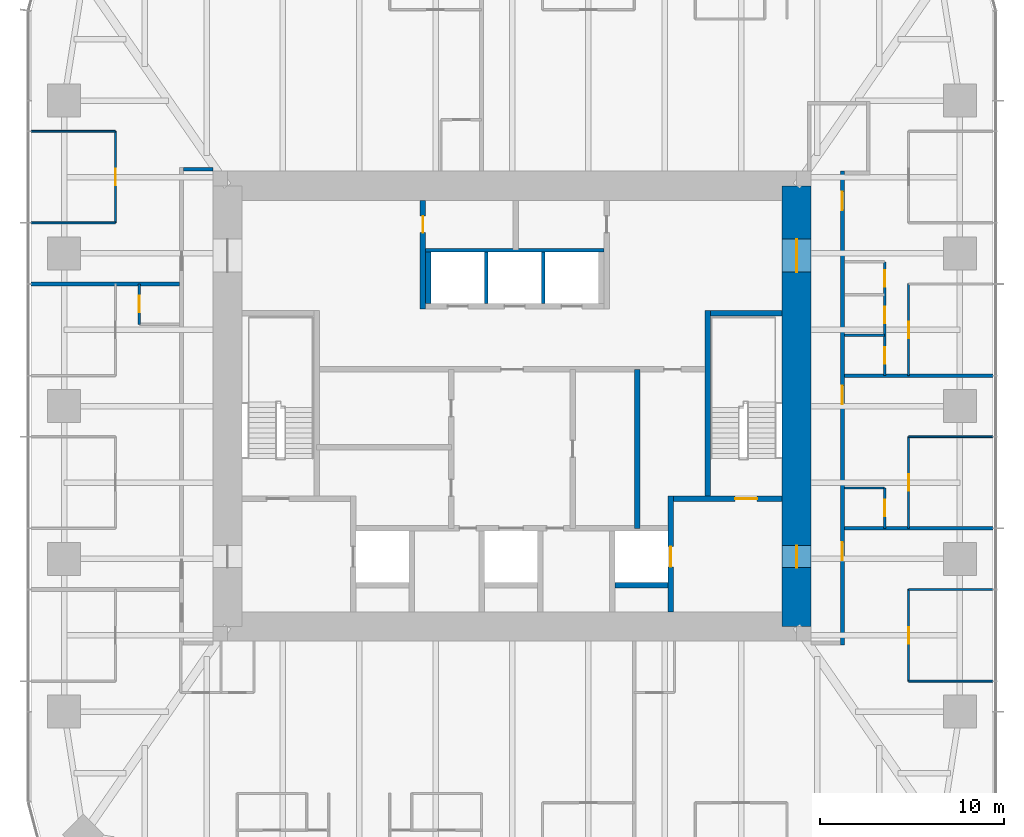
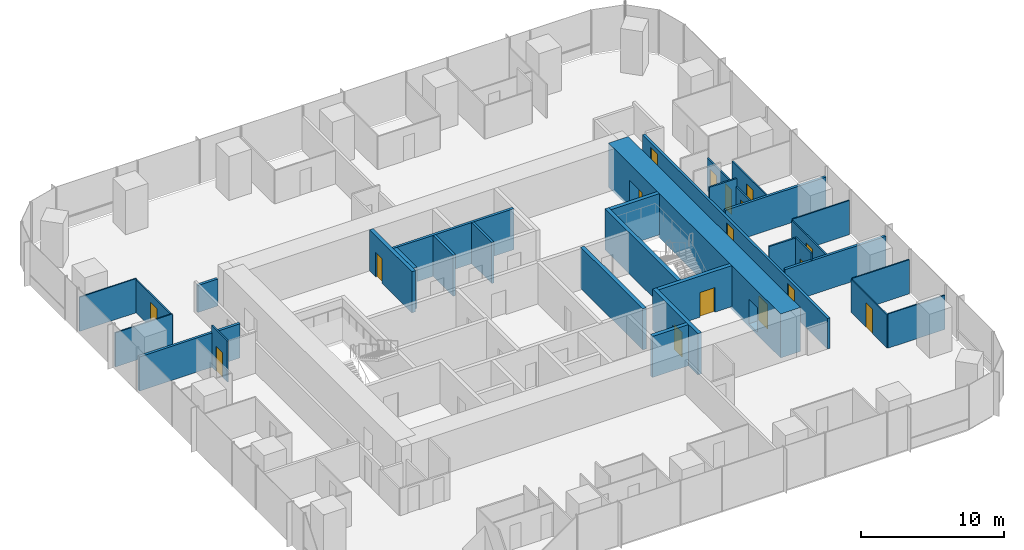
# One storey, part 10 of 12: 31 walls, 17 doors, 17 openings.
"""IFC4 building model written with IfcOpenShell, lengths in metres."""

from ifc_helpers import new_model, si_unit, direction, frame, frame_2d, origin, place, context, subcontext, project, spatial, rectangle, extrude, material, layer, layer_set, type_object, element, fill, save


model = new_model("IFC4")

# Units and contexts
model_context = context("Model", 3, precision=1e-05, world=origin(), true_north=direction((0.0, 1.0)))
body_context = subcontext(model_context, "Body", "Model", "MODEL_VIEW")
ifc_project = project(units=[si_unit("LENGTHUNIT", "METRE"), si_unit("AREAUNIT", "SQUARE_METRE"), si_unit("VOLUMEUNIT", "CUBIC_METRE"), si_unit("PLANEANGLEUNIT", "RADIAN"), si_unit("MASSUNIT", "GRAM", prefix="KILO")], contexts=[model_context])

# Site, building, storey
site_placement = place(None, origin())
site = spatial("IfcSite", under=ifc_project, at=site_placement, CompositionType="ELEMENT")
building_placement = place(site_placement, origin())
building = spatial("IfcBuilding", under=site, at=building_placement, Name="Khuree Lantern Residences", CompositionType="ELEMENT")
storey_placement = place(building_placement, frame((0.0, 0.0, 225.75)))
storey = spatial("IfcBuildingStorey", under=building, at=storey_placement, Name="L56", CompositionType="ELEMENT", Elevation=225.75)

# Wall, opening, door
ifc_material_1 = material(Name="Moisture-resistant gypsum board on steel studs", Category="steel")
ifc_layer_1 = layer(ifc_material_1, 0.125)
ifc_layer_set_1 = layer_set([ifc_layer_1], Name="BATHROOM WALL BTW125")
wall_type_1 = type_object("IfcWallType", Name="BATHROOM WALL BTW125", PredefinedType="PARTITIONING", material=ifc_layer_set_1)
wall_1_placement = place(storey_placement, frame((20.300048828125, -6.656005859375, 0.0), z_axis=(0.0, 0.0, 1.0), x_axis=(0.0, 1.0, 0.0)))
wall_1 = element("IfcWall", 1, at=wall_1_placement, inside=storey, type_object=wall_type_1, Name="L56 BATHROOM WALL 01", PredefinedType="PARTITIONING", context=body_context, shape_type="SweptSolid", body=[
    extrude(rectangle(XDim=2.199951171875, YDim=0.125, at=frame_2d((1.10009765625, 0.0))), origin(), (0.0, 0.0, 1.0), 3.5),
])
opening_1_placement = place(wall_1_placement, frame((0.64990234375, 0.0, 0.0)))
opening_1 = element("IfcOpeningElement", 2, at=opening_1_placement, cuts=wall_1, Name="Opening 56-023", PredefinedType="OPENING", context=body_context, shape_type="SweptSolid", body=[
    extrude(rectangle(XDim=0.89990234375, YDim=2.10009765625, at=frame_2d((0.449951171875, 1.050048828125))), frame((0.0, 0.072509765625, 0.0), z_axis=(0.0, -1.0, 0.0), x_axis=(1.0, 0.0, 0.0)), (0.0, 0.0, 1.0), 0.14501953125),
])
ifc_material_2 = material(Name="Timber door leaf in hardwood frame", Category="wood")
door_type_1 = type_object("IfcDoorType", Name="BATHROOM DOOR 900X2100", OperationType="SINGLE_SWING_LEFT", PredefinedType="DOOR", material=ifc_material_2)
door_1_placement = place(opening_1_placement, origin())
door_1 = element("IfcDoor", 3, at=door_1_placement, inside=storey, type_object=door_type_1, Name="Bathroom door 56-023", OperationType="SINGLE_SWING_LEFT", OverallHeight=2.10009765625, OverallWidth=0.89990234375, PredefinedType="DOOR", context=body_context, shape_type="SweptSolid", body=[
    extrude(rectangle(XDim=0.89990234375, YDim=2.10009765625, at=frame_2d((0.449951171875, 1.050048828125))), frame((0.0, 0.02490234375, 0.0), z_axis=(0.0, -1.0, 0.0), x_axis=(1.0, 0.0, 0.0)), (0.0, 0.0, 1.0), 0.050048828125),
])
fill(opening_1, door_1)

# Wall
wall_2_placement = place(storey_placement, frame((18.10009765625, -4.4560546875, 0.0), z_axis=(0.0, 0.0, 1.0), x_axis=(1.0, 0.0, 0.0)))
element("IfcWall", 4, at=wall_2_placement, inside=storey, type_object=wall_type_1, Name="L56 BATHROOM WALL 01", PredefinedType="PARTITIONING", context=body_context, shape_type="SweptSolid", body=[
    extrude(rectangle(XDim=2.199951171875, YDim=0.125, at=frame_2d((1.10009765625, 0.0))), origin(), (0.0, 0.0, 1.0), 3.5),
])

# Wall, openings, doors
wall_3_placement = place(storey_placement, frame((20.300048828125, 1.6640625, 0.0), z_axis=(0.0, 0.0, 1.0), x_axis=(0.0, 1.0, 0.0)))
wall_3 = element("IfcWall", 5, at=wall_3_placement, inside=storey, type_object=wall_type_1, Name="L56 BATHROOM WALL 02", PredefinedType="PARTITIONING", context=body_context, shape_type="SweptSolid", body=[
    extrude(rectangle(XDim=6.199951171875, YDim=0.125, at=frame_2d((3.10009765625, 0.0))), origin(), (0.0, 0.0, 1.0), 2.81005859375),
])
opening_2_placement = place(wall_3_placement, frame((0.64990234375, 0.0, 0.0)))
opening_2 = element("IfcOpeningElement", 6, at=opening_2_placement, cuts=wall_3, Name="Opening 56-030", PredefinedType="OPENING", context=body_context, shape_type="SweptSolid", body=[
    extrude(rectangle(XDim=0.89990234375, YDim=2.10009765625, at=frame_2d((0.449951171875, 1.050048828125))), frame((0.0, 0.072509765625, 0.0), z_axis=(0.0, -1.0, 0.0), x_axis=(1.0, 0.0, 0.0)), (0.0, 0.0, 1.0), 0.14501953125),
])
opening_3_placement = place(wall_3_placement, frame((2.85009765625, 0.0, 0.0)))
opening_3 = element("IfcOpeningElement", 7, at=opening_3_placement, cuts=wall_3, Name="Opening 56-031", PredefinedType="OPENING", context=body_context, shape_type="SweptSolid", body=[
    extrude(rectangle(XDim=0.89990234375, YDim=2.10009765625, at=frame_2d((0.449951171875, 1.050048828125))), frame((0.0, 0.072509765625, 0.0), z_axis=(0.0, -1.0, 0.0), x_axis=(1.0, 0.0, 0.0)), (0.0, 0.0, 1.0), 0.14501953125),
])
opening_4_placement = place(wall_3_placement, frame((4.85009765625, 0.0, 0.0)))
opening_4 = element("IfcOpeningElement", 8, at=opening_4_placement, cuts=wall_3, Name="Opening 56-032", PredefinedType="OPENING", context=body_context, shape_type="SweptSolid", body=[
    extrude(rectangle(XDim=0.89990234375, YDim=2.10009765625, at=frame_2d((0.449951171875, 1.050048828125))), frame((0.0, 0.072509765625, 0.0), z_axis=(0.0, -1.0, 0.0), x_axis=(1.0, 0.0, 0.0)), (0.0, 0.0, 1.0), 0.14501953125),
])
door_2_placement = place(opening_2_placement, origin())
door_2 = element("IfcDoor", 9, at=door_2_placement, inside=storey, type_object=door_type_1, Name="Bathroom door 56-030", OperationType="SINGLE_SWING_LEFT", OverallHeight=2.10009765625, OverallWidth=0.89990234375, PredefinedType="DOOR", context=body_context, shape_type="SweptSolid", body=[
    extrude(rectangle(XDim=0.89990234375, YDim=2.10009765625, at=frame_2d((0.449951171875, 1.050048828125))), frame((0.0, 0.02490234375, 0.0), z_axis=(0.0, -1.0, 0.0), x_axis=(1.0, 0.0, 0.0)), (0.0, 0.0, 1.0), 0.050048828125),
])
fill(opening_2, door_2)
door_3_placement = place(opening_3_placement, origin())
door_3 = element("IfcDoor", 10, at=door_3_placement, inside=storey, type_object=door_type_1, Name="Bathroom door 56-031", OperationType="SINGLE_SWING_LEFT", OverallHeight=2.10009765625, OverallWidth=0.89990234375, PredefinedType="DOOR", context=body_context, shape_type="SweptSolid", body=[
    extrude(rectangle(XDim=0.89990234375, YDim=2.10009765625, at=frame_2d((0.449951171875, 1.050048828125))), frame((0.0, 0.02490234375, 0.0), z_axis=(0.0, -1.0, 0.0), x_axis=(1.0, 0.0, 0.0)), (0.0, 0.0, 1.0), 0.050048828125),
])
fill(opening_3, door_3)
door_type_2 = type_object("IfcDoorType", Name="DOOR 900X2100", OperationType="SINGLE_SWING_LEFT", PredefinedType="DOOR", material=ifc_material_2)
door_4_placement = place(opening_4_placement, origin())
door_4 = element("IfcDoor", 11, at=door_4_placement, inside=storey, type_object=door_type_2, Name="Store door 56-032", OperationType="SINGLE_SWING_LEFT", OverallHeight=2.10009765625, OverallWidth=0.89990234375, PredefinedType="DOOR", context=body_context, shape_type="SweptSolid", body=[
    extrude(rectangle(XDim=0.89990234375, YDim=2.10009765625, at=frame_2d((0.449951171875, 1.050048828125))), frame((0.0, 0.02490234375, 0.0), z_axis=(0.0, -1.0, 0.0), x_axis=(1.0, 0.0, 0.0)), (0.0, 0.0, 1.0), 0.050048828125),
])
fill(opening_4, door_4)

# Wall
wall_4_placement = place(storey_placement, frame((18.10009765625, 3.864013671875, 0.0), z_axis=(0.0, 0.0, 1.0), x_axis=(1.0, 0.0, 0.0)))
element("IfcWall", 12, at=wall_4_placement, inside=storey, type_object=wall_type_1, Name="L56 BATHROOM WALL 02", PredefinedType="PARTITIONING", context=body_context, shape_type="SweptSolid", body=[
    extrude(rectangle(XDim=2.199951171875, YDim=0.125, at=frame_2d((1.10009765625, 0.0))), origin(), (0.0, 0.0, 1.0), 3.5),
])

# Wall, opening, door
wall_5_placement = place(storey_placement, frame((-20.300048828125, 6.656005859375, 0.0), z_axis=(0.0, 0.0, 1.0), x_axis=(0.0, -1.0, 0.0)))
wall_5 = element("IfcWall", 13, at=wall_5_placement, inside=storey, type_object=wall_type_1, Name="L56 BATHROOM WALL 04", PredefinedType="PARTITIONING", context=body_context, shape_type="SweptSolid", body=[
    extrude(rectangle(XDim=2.199951171875, YDim=0.125, at=frame_2d((1.10009765625, 0.0))), origin(), (0.0, 0.0, 1.0), 3.5),
])
opening_5_placement = place(wall_5_placement, frame((0.64990234375, 0.0, 0.0)))
opening_5 = element("IfcOpeningElement", 14, at=opening_5_placement, cuts=wall_5, Name="Opening 56-040", PredefinedType="OPENING", context=body_context, shape_type="SweptSolid", body=[
    extrude(rectangle(XDim=0.89990234375, YDim=2.10009765625, at=frame_2d((0.449951171875, 1.050048828125))), frame((0.0, 0.072509765625, 0.0), z_axis=(0.0, -1.0, 0.0), x_axis=(1.0, 0.0, 0.0)), (0.0, 0.0, 1.0), 0.14501953125),
])
door_5_placement = place(opening_5_placement, origin())
door_5 = element("IfcDoor", 15, at=door_5_placement, inside=storey, type_object=door_type_1, Name="Bathroom door 56-040", OperationType="SINGLE_SWING_LEFT", OverallHeight=2.10009765625, OverallWidth=0.89990234375, PredefinedType="DOOR", context=body_context, shape_type="SweptSolid", body=[
    extrude(rectangle(XDim=0.89990234375, YDim=2.10009765625, at=frame_2d((0.449951171875, 1.050048828125))), frame((0.0, 0.02490234375, 0.0), z_axis=(0.0, -1.0, 0.0), x_axis=(1.0, 0.0, 0.0)), (0.0, 0.0, 1.0), 0.050048828125),
])
fill(opening_5, door_5)

ifc_material_3 = material(Name="Dense concrete blockwork", Category="masonry")
ifc_layer_2 = layer(ifc_material_3, 0.300048828125)
ifc_layer_set_2 = layer_set([ifc_layer_2], Name="CORE PARTITION WALL CPW300 EI 120")
wall_type_2 = type_object("IfcWallType", Name="CORE PARTITION WALL CPW300 EI 120", PredefinedType="PARTITIONING", material=ifc_layer_set_2)
wall_6_placement = place(storey_placement, frame((8.64990234375, -11.199951171875, 0.0), z_axis=(0.0, 0.0, 1.0), x_axis=(0.0, 1.0, 0.0)))
wall_6 = element("IfcWall", 16, at=wall_6_placement, inside=storey, type_object=wall_type_2, Name="L56 CORE WALL FL2E", PredefinedType="PARTITIONING", context=body_context, shape_type="SweptSolid", body=[
    extrude(rectangle(XDim=6.300048828125, YDim=0.300048828125, at=frame_2d((3.14990234375, 0.0))), origin(), (0.0, 0.0, 1.0), 3.5),
])
opening_6_placement = place(wall_6_placement, frame((2.449951171875, 0.0, 0.0)))
opening_6 = element("IfcOpeningElement", 17, at=opening_6_placement, cuts=wall_6, Name="Opening 56-008", PredefinedType="OPENING", context=body_context, shape_type="SweptSolid", body=[
    extrude(rectangle(XDim=1.10009765625, YDim=2.10009765625, at=frame_2d((0.550048828125, 1.050048828125))), frame((0.0, 0.16015625, 0.0), z_axis=(0.0, -1.0, 0.0), x_axis=(1.0, 0.0, 0.0)), (0.0, 0.0, 1.0), 0.320068359375),
])
ifc_material_4 = material(Name="Stainless steel lift landing door", Category="steel")
door_type_3 = type_object("IfcDoorType", Name="LIFT LANDING DOOR 1100X2100 E 120", OperationType="DOUBLE_DOOR_SLIDING", PredefinedType="DOOR", material=ifc_material_4)
door_6_placement = place(opening_6_placement, origin())
door_6 = element("IfcDoor", 18, at=door_6_placement, inside=storey, type_object=door_type_3, Name="Landing door FL2 56-008", OperationType="DOUBLE_DOOR_SLIDING", OverallHeight=2.10009765625, OverallWidth=1.10009765625, PredefinedType="DOOR", context=body_context, shape_type="SweptSolid", body=[
    extrude(rectangle(XDim=1.10009765625, YDim=2.10009765625, at=frame_2d((0.550048828125, 1.050048828125))), frame((0.0, 0.02490234375, 0.0), z_axis=(0.0, -1.0, 0.0), x_axis=(1.0, 0.0, 0.0)), (0.0, 0.0, 1.0), 0.050048828125),
])
fill(opening_6, door_6)

# Walls
wall_7_placement = place(storey_placement, frame((5.60009765625, -9.75, 0.0), z_axis=(0.0, 0.0, 1.0), x_axis=(1.0, 0.0, 0.0)))
element("IfcWall", 19, at=wall_7_placement, inside=storey, type_object=wall_type_2, Name="L56 CORE WALL FL2S", PredefinedType="PARTITIONING", context=body_context, shape_type="SweptSolid", body=[
    extrude(rectangle(XDim=2.89990234375, YDim=0.300048828125, at=frame_2d((1.449951171875, 0.0))), origin(), (0.0, 0.0, 1.0), 3.5),
])
wall_8_placement = place(storey_placement, frame((-4.550048828125, 5.60009765625, 0.0), z_axis=(0.0, 0.0, 1.0), x_axis=(0.0, 1.0, 0.0)))
element("IfcWall", 20, at=wall_8_placement, inside=storey, type_object=wall_type_2, Name="L56 CORE WALL PHW", PredefinedType="PARTITIONING", context=body_context, shape_type="SweptSolid", body=[
    extrude(rectangle(XDim=2.7998046875, YDim=0.300048828125, at=frame_2d((1.39990234375, 0.0))), origin(), (0.0, 0.0, 1.0), 3.5),
])
wall_9_placement = place(storey_placement, frame((6.833984375, -6.64990234375, 0.0), z_axis=(0.0, 0.0, 1.0), x_axis=(0.0, 1.0, 0.0)))
element("IfcWall", 21, at=wall_9_placement, inside=storey, type_object=wall_type_2, Name="L56 CORE WALL EV", PredefinedType="PARTITIONING", context=body_context, shape_type="SweptSolid", body=[
    extrude(rectangle(XDim=8.64990234375, YDim=0.300048828125, at=frame_2d((4.324951171875, 0.0))), origin(), (0.0, 0.0, 1.0), 3.5),
])

# Wall, opening, door
wall_10_placement = place(storey_placement, frame((-4.85009765625, 5.300048828125, 0.0), z_axis=(0.0, 0.0, 1.0), x_axis=(0.0, 1.0, 0.0)))
wall_10 = element("IfcWall", 22, at=wall_10_placement, inside=storey, type_object=wall_type_2, Name="L56 CORE WALL NW", PredefinedType="PARTITIONING", context=body_context, shape_type="SweptSolid", body=[
    extrude(rectangle(XDim=5.89990234375, YDim=0.300048828125, at=frame_2d((2.949951171875, 0.0))), origin(), (0.0, 0.0, 1.0), 3.5),
])
opening_7_placement = place(wall_10_placement, frame((4.14990234375, 0.0, 0.0)))
opening_7 = element("IfcOpeningElement", 23, at=opening_7_placement, cuts=wall_10, Name="Opening 56-020", PredefinedType="OPENING", context=body_context, shape_type="SweptSolid", body=[
    extrude(rectangle(XDim=0.89990234375, YDim=2.10009765625, at=frame_2d((0.449951171875, 1.050048828125))), frame((0.0, 0.16015625, 0.0), z_axis=(0.0, -1.0, 0.0), x_axis=(1.0, 0.0, 0.0)), (0.0, 0.0, 1.0), 0.320068359375),
])
door_type_4 = type_object("IfcDoorType", Name="DOOR 900X2100 RIGHT HAND", OperationType="SINGLE_SWING_RIGHT", PredefinedType="DOOR", material=ifc_material_2)
door_7_placement = place(opening_7_placement, origin())
door_7 = element("IfcDoor", 24, at=door_7_placement, inside=storey, type_object=door_type_4, Name="Housekeeping store door 56-020", OperationType="SINGLE_SWING_RIGHT", OverallHeight=2.10009765625, OverallWidth=0.89990234375, PredefinedType="DOOR", context=body_context, shape_type="SweptSolid", body=[
    extrude(rectangle(XDim=0.89990234375, YDim=2.10009765625, at=frame_2d((0.449951171875, 1.050048828125))), frame((0.0, 0.02490234375, 0.0), z_axis=(0.0, -1.0, 0.0), x_axis=(1.0, 0.0, 0.0)), (0.0, 0.0, 1.0), 0.050048828125),
])
fill(opening_7, door_7)

# Wall
ifc_material_5 = material(Name="Gypsum board on steel studs", Category="steel")
ifc_layer_3 = layer(ifc_material_5, 0.199951171875)
ifc_layer_set_3 = layer_set([ifc_layer_3], Name="CORRIDOR WALL CRW200 EI 60")
wall_type_3 = type_object("IfcWallType", Name="CORRIDOR WALL CRW200 EI 60", PredefinedType="PARTITIONING", material=ifc_layer_set_3)
wall_11_placement = place(storey_placement, frame((-16.300048828125, 12.89990234375, 0.0), z_axis=(0.0, 0.0, 1.0), x_axis=(-1.0, 0.0, 0.0)))
element("IfcWall", 25, at=wall_11_placement, inside=storey, type_object=wall_type_3, Name="L56 WEST CORRIDOR NORTH END WALL", PredefinedType="PARTITIONING", context=body_context, shape_type="SweptSolid", body=[
    extrude(rectangle(XDim=1.599853515625, YDim=0.199951171875, at=frame_2d((0.7998046875, 0.0))), origin(), (0.0, 0.0, 1.0), 2.300048828125),
])

# Wall, openings, doors
wall_12_placement = place(storey_placement, frame((18.0, -13.0, 0.0), z_axis=(0.0, 0.0, 1.0), x_axis=(0.0, 1.0, 0.0)))
wall_12 = element("IfcWall", 26, at=wall_12_placement, inside=storey, type_object=wall_type_3, Name="L56 CORRIDOR WALL EAST 1", PredefinedType="PARTITIONING", context=body_context, shape_type="SweptSolid", body=[
    extrude(rectangle(XDim=25.800048828125, YDim=0.199951171875, at=frame_2d((12.89990234375, 0.0))), origin(), (0.0, 0.0, 1.0), 2.60009765625),
])
opening_8_placement = place(wall_12_placement, frame((13.114013671875, 0.0, 0.0)))
opening_8 = element("IfcOpeningElement", 27, at=opening_8_placement, cuts=wall_12, Name="Opening 56-024", PredefinedType="OPENING", context=body_context, shape_type="SweptSolid", body=[
    extrude(rectangle(XDim=1.0, YDim=2.199951171875, at=frame_2d((0.5, 1.10009765625))), frame((0.0, 0.10986328125, 0.0), z_axis=(0.0, -1.0, 0.0), x_axis=(1.0, 0.0, 0.0)), (0.0, 0.0, 1.0), 0.219970703125),
])
opening_9_placement = place(wall_12_placement, frame((23.68408203125, 0.0, 0.0)))
opening_9 = element("IfcOpeningElement", 28, at=opening_9_placement, cuts=wall_12, Name="Opening 56-033", PredefinedType="OPENING", context=body_context, shape_type="SweptSolid", body=[
    extrude(rectangle(XDim=1.0, YDim=2.199951171875, at=frame_2d((0.5, 1.10009765625))), frame((0.0, 0.10986328125, 0.0), z_axis=(0.0, -1.0, 0.0), x_axis=(1.0, 0.0, 0.0)), (0.0, 0.0, 1.0), 0.219970703125),
])
opening_10_placement = place(wall_12_placement, frame((4.60009765625, 0.0, 0.0)))
opening_10 = element("IfcOpeningElement", 29, at=opening_10_placement, cuts=wall_12, Name="Opening 56-054", PredefinedType="OPENING", context=body_context, shape_type="SweptSolid", body=[
    extrude(rectangle(XDim=1.0, YDim=2.199951171875, at=frame_2d((0.5, 1.10009765625))), frame((0.0, 0.10986328125, 0.0), z_axis=(0.0, -1.0, 0.0), x_axis=(1.0, 0.0, 0.0)), (0.0, 0.0, 1.0), 0.219970703125),
])
door_type_5 = type_object("IfcDoorType", Name="APARTMENT ENTRANCE DOOR 1000X2200 EI 30S", OperationType="SINGLE_SWING_LEFT", PredefinedType="DOOR", material=ifc_material_2)
door_8_placement = place(opening_8_placement, origin())
door_8 = element("IfcDoor", 30, at=door_8_placement, inside=storey, type_object=door_type_5, Name="Apartment 01 entrance door 56-024", OperationType="SINGLE_SWING_LEFT", OverallHeight=2.199951171875, OverallWidth=1.0, PredefinedType="DOOR", context=body_context, shape_type="SweptSolid", body=[
    extrude(rectangle(XDim=1.0, YDim=2.199951171875, at=frame_2d((0.5, 1.10009765625))), frame((0.0, 0.02490234375, 0.0), z_axis=(0.0, -1.0, 0.0), x_axis=(1.0, 0.0, 0.0)), (0.0, 0.0, 1.0), 0.050048828125),
])
fill(opening_8, door_8)
door_9_placement = place(opening_9_placement, origin())
door_9 = element("IfcDoor", 31, at=door_9_placement, inside=storey, type_object=door_type_5, Name="Apartment 02 entrance door 56-033", OperationType="SINGLE_SWING_LEFT", OverallHeight=2.199951171875, OverallWidth=1.0, PredefinedType="DOOR", context=body_context, shape_type="SweptSolid", body=[
    extrude(rectangle(XDim=1.0, YDim=2.199951171875, at=frame_2d((0.5, 1.10009765625))), frame((0.0, 0.02490234375, 0.0), z_axis=(0.0, -1.0, 0.0), x_axis=(1.0, 0.0, 0.0)), (0.0, 0.0, 1.0), 0.050048828125),
])
fill(opening_9, door_9)
door_10_placement = place(opening_10_placement, origin())
door_10 = element("IfcDoor", 32, at=door_10_placement, inside=storey, type_object=door_type_5, Name="Apartment 06 entrance door 56-054", OperationType="SINGLE_SWING_LEFT", OverallHeight=2.199951171875, OverallWidth=1.0, PredefinedType="DOOR", context=body_context, shape_type="SweptSolid", body=[
    extrude(rectangle(XDim=1.0, YDim=2.199951171875, at=frame_2d((0.5, 1.10009765625))), frame((0.0, 0.02490234375, 0.0), z_axis=(0.0, -1.0, 0.0), x_axis=(1.0, 0.0, 0.0)), (0.0, 0.0, 1.0), 0.050048828125),
])
fill(opening_10, door_10)

ifc_material_6 = material(Name="Concrete C50/60", Category="concrete")
ifc_layer_4 = layer(ifc_material_6, 1.60009765625)
ifc_layer_set_4 = layer_set([ifc_layer_4], Name="CW1600-C50 CORE WALL C50 1600")
wall_type_4 = type_object("IfcWallType", Name="CW1600-C50 CORE WALL C50 1600", PredefinedType="SHEAR", material=ifc_layer_set_4)
wall_13_placement = place(storey_placement, frame((15.5, -12.0, -0.25), z_axis=(0.0, 0.0, 1.0), x_axis=(0.0, 1.0, 0.0)))
wall_13 = element("IfcWall", 33, at=wall_13_placement, inside=storey, type_object=wall_type_4, Name="Core wall E", PredefinedType="SHEAR", context=body_context, shape_type="SweptSolid", body=[
    extrude(rectangle(XDim=24.0, YDim=1.60009765625, at=frame_2d((12.0, 0.0))), origin(), (0.0, 0.0, 1.0), 3.75),
])
opening_11_placement = place(wall_13_placement, frame((3.199951171875, 0.0, 0.25)))
opening_11 = element("IfcOpeningElement", 34, at=opening_11_placement, cuts=wall_13, Name="Opening 56-005", PredefinedType="OPENING", context=body_context, shape_type="SweptSolid", body=[
    extrude(rectangle(XDim=1.199951171875, YDim=2.10009765625, at=frame_2d((0.60009765625, 1.050048828125))), frame((0.0, 0.81005859375, 0.0), z_axis=(0.0, -1.0, 0.0), x_axis=(1.0, 0.0, 0.0)), (0.0, 0.0, 1.0), 1.6201171875),
])
opening_12_placement = place(wall_13_placement, frame((19.300048828125, 0.0, 0.25)))
opening_12 = element("IfcOpeningElement", 35, at=opening_12_placement, cuts=wall_13, Name="Opening 56-006", PredefinedType="OPENING", context=body_context, shape_type="SweptSolid", body=[
    extrude(rectangle(XDim=1.800048828125, YDim=2.10009765625, at=frame_2d((0.89990234375, 1.050048828125))), frame((0.0, 0.81005859375, 0.0), z_axis=(0.0, -1.0, 0.0), x_axis=(1.0, 0.0, 0.0)), (0.0, 0.0, 1.0), 1.6201171875),
])
ifc_material_7 = material(Name="Steel door leaf in steel frame", Category="steel")
door_type_6 = type_object("IfcDoorType", Name="LOBBY DOOR 1200X2100 EI 120", OperationType="SINGLE_SWING_LEFT", PredefinedType="DOOR", material=ifc_material_7)
door_11_placement = place(opening_11_placement, origin())
door_11 = element("IfcDoor", 36, at=door_11_placement, inside=storey, type_object=door_type_6, Name="Firefighting lobby door 56-005", OperationType="SINGLE_SWING_LEFT", OverallHeight=2.10009765625, OverallWidth=1.199951171875, PredefinedType="DOOR", context=body_context, shape_type="SweptSolid", body=[
    extrude(rectangle(XDim=1.199951171875, YDim=2.10009765625, at=frame_2d((0.60009765625, 1.050048828125))), frame((0.0, 0.02490234375, 0.0), z_axis=(0.0, -1.0, 0.0), x_axis=(1.0, 0.0, 0.0)), (0.0, 0.0, 1.0), 0.050048828125),
])
fill(opening_11, door_11)
door_type_7 = type_object("IfcDoorType", Name="LOBBY DOUBLE DOOR 1800X2100 EI 60", OperationType="DOUBLE_DOOR_SINGLE_SWING", PredefinedType="DOOR", material=ifc_material_7)
door_12_placement = place(opening_12_placement, origin())
door_12 = element("IfcDoor", 37, at=door_12_placement, inside=storey, type_object=door_type_7, Name="Lift lobby door 56-006", OperationType="DOUBLE_DOOR_SINGLE_SWING", OverallHeight=2.10009765625, OverallWidth=1.800048828125, PredefinedType="DOOR", context=body_context, shape_type="SweptSolid", body=[
    extrude(rectangle(XDim=1.800048828125, YDim=2.10009765625, at=frame_2d((0.89990234375, 1.050048828125))), frame((0.0, 0.02490234375, 0.0), z_axis=(0.0, -1.0, 0.0), x_axis=(1.0, 0.0, 0.0)), (0.0, 0.0, 1.0), 0.050048828125),
])
fill(opening_12, door_12)

# Walls
ifc_layer_5 = layer(ifc_material_5, 0.199951171875)
ifc_layer_set_5 = layer_set([ifc_layer_5], Name="DEMISING WALL DMW200 EI 90")
wall_type_5 = type_object("IfcWallType", Name="DEMISING WALL DMW200 EI 90", PredefinedType="PARTITIONING", material=ifc_layer_set_5)
for number, where, z_axis, x_axis, name in (
    (38, (18.10009765625, -6.656005859375, 0.0), (0.0, 0.0, 1.0), (1.0, 0.0, 0.0), "L56 DEMISING WALL 01"),
    (39, (18.10009765625, 1.6640625, 0.0), (0.0, 0.0, 1.0), (1.0, 0.0, 0.0), "L56 DEMISING WALL 02"),
    (40, (-18.10009765625, 6.656005859375, 0.0), (0.0, 0.0, 1.0), (-1.0, 0.0, 0.0), "L56 DEMISING WALL 04"),
):
    element("IfcWall", number, at=place(storey_placement, frame(where, z_axis=z_axis, x_axis=x_axis)), inside=storey, type_object=wall_type_5, Name=name, PredefinedType="PARTITIONING", context=body_context, shape_type="SweptSolid", body=[
        extrude(rectangle(XDim=8.099853515625, YDim=0.199951171875, at=frame_2d((4.0498046875, 0.0))), origin(), (0.0, 0.0, 1.0), 2.909912109375),
    ])
ifc_layer_6 = layer(ifc_material_5, 0.10009765625)
ifc_layer_set_6 = layer_set([ifc_layer_6], Name="PARTITION PT100")
wall_type_6 = type_object("IfcWallType", Name="PARTITION PT100", PredefinedType="PARTITIONING", material=ifc_layer_set_6)
for number, where, z_axis, x_axis, name in (
    (41, (21.60009765625, -1.6640625, 0.0), (0.0, 0.0, 1.0), (1.0, 0.0, 0.0), "L56 PARTITION 01"),
    (42, (-21.60009765625, 14.97607421875, 0.0), (0.0, 0.0, 1.0), (-1.0, 0.0, 0.0), "L56 PARTITION 03"),
    (43, (-21.60009765625, 9.98388671875, 0.0), (0.0, 0.0, 1.0), (-1.0, 0.0, 0.0), "L56 PARTITION 03"),
    (44, (21.60009765625, -14.97607421875, 0.0), (0.0, 0.0, 1.0), (1.0, 0.0, 0.0), "L56 PARTITION 06"),
    (45, (21.60009765625, -9.98388671875, 0.0), (0.0, 0.0, 1.0), (1.0, 0.0, 0.0), "L56 PARTITION 06"),
):
    element("IfcWall", number, at=place(storey_placement, frame(where, z_axis=z_axis, x_axis=x_axis)), inside=storey, type_object=wall_type_6, Name=name, PredefinedType="PARTITIONING", context=body_context, shape_type="SweptSolid", body=[
        extrude(rectangle(XDim=4.599853515625, YDim=0.10009765625, at=frame_2d((2.2998046875, 0.0))), origin(), (0.0, 0.0, 1.0), 2.909912109375),
    ])

# Wall, opening, door
wall_14_placement = place(storey_placement, frame((21.60009765625, -6.656005859375, 0.0), z_axis=(0.0, 0.0, 1.0), x_axis=(0.0, 1.0, 0.0)))
wall_14 = element("IfcWall", 46, at=wall_14_placement, inside=storey, type_object=wall_type_6, Name="L56 PARTITION 01", PredefinedType="PARTITIONING", context=body_context, shape_type="SweptSolid", body=[
    extrude(rectangle(XDim=4.991943359375, YDim=0.10009765625, at=frame_2d((2.49609375, 0.0))), origin(), (0.0, 0.0, 1.0), 2.81005859375),
])
opening_13_placement = place(wall_14_placement, frame((2.0458984375, 0.0, 0.0)))
opening_13 = element("IfcOpeningElement", 47, at=opening_13_placement, cuts=wall_14, Name="Opening 56-022", PredefinedType="OPENING", context=body_context, shape_type="SweptSolid", body=[
    extrude(rectangle(XDim=0.89990234375, YDim=2.10009765625, at=frame_2d((0.449951171875, 1.050048828125))), frame((0.0, 0.06005859375, 0.0), z_axis=(0.0, -1.0, 0.0), x_axis=(1.0, 0.0, 0.0)), (0.0, 0.0, 1.0), 0.1201171875),
])
door_type_8 = type_object("IfcDoorType", Name="BEDROOM DOOR 900X2100", OperationType="SINGLE_SWING_LEFT", PredefinedType="DOOR", material=ifc_material_2)
door_13_placement = place(opening_13_placement, origin())
door_13 = element("IfcDoor", 48, at=door_13_placement, inside=storey, type_object=door_type_8, Name="Bedroom door 56-022", OperationType="SINGLE_SWING_LEFT", OverallHeight=2.10009765625, OverallWidth=0.89990234375, PredefinedType="DOOR", context=body_context, shape_type="SweptSolid", body=[
    extrude(rectangle(XDim=0.89990234375, YDim=2.10009765625, at=frame_2d((0.449951171875, 1.050048828125))), frame((0.0, 0.02490234375, 0.0), z_axis=(0.0, -1.0, 0.0), x_axis=(1.0, 0.0, 0.0)), (0.0, 0.0, 1.0), 0.050048828125),
])
fill(opening_13, door_13)

wall_15_placement = place(storey_placement, frame((21.60009765625, 1.6640625, 0.0), z_axis=(0.0, 0.0, 1.0), x_axis=(0.0, 1.0, 0.0)))
wall_15 = element("IfcWall", 49, at=wall_15_placement, inside=storey, type_object=wall_type_6, Name="L56 PARTITION 02", PredefinedType="PARTITIONING", context=body_context, shape_type="SweptSolid", body=[
    extrude(rectangle(XDim=4.991943359375, YDim=0.10009765625, at=frame_2d((2.49609375, 0.0))), origin(), (0.0, 0.0, 1.0), 2.81005859375),
])
opening_14_placement = place(wall_15_placement, frame((2.0458984375, 0.0, 0.0)))
opening_14 = element("IfcOpeningElement", 50, at=opening_14_placement, cuts=wall_15, Name="Opening 56-025", PredefinedType="OPENING", context=body_context, shape_type="SweptSolid", body=[
    extrude(rectangle(XDim=0.89990234375, YDim=2.10009765625, at=frame_2d((0.449951171875, 1.050048828125))), frame((0.0, 0.06005859375, 0.0), z_axis=(0.0, -1.0, 0.0), x_axis=(1.0, 0.0, 0.0)), (0.0, 0.0, 1.0), 0.1201171875),
])
door_14_placement = place(opening_14_placement, origin())
door_14 = element("IfcDoor", 51, at=door_14_placement, inside=storey, type_object=door_type_8, Name="Bedroom door 56-025", OperationType="SINGLE_SWING_LEFT", OverallHeight=2.10009765625, OverallWidth=0.89990234375, PredefinedType="DOOR", context=body_context, shape_type="SweptSolid", body=[
    extrude(rectangle(XDim=0.89990234375, YDim=2.10009765625, at=frame_2d((0.449951171875, 1.050048828125))), frame((0.0, 0.02490234375, 0.0), z_axis=(0.0, -1.0, 0.0), x_axis=(1.0, 0.0, 0.0)), (0.0, 0.0, 1.0), 0.050048828125),
])
fill(opening_14, door_14)

wall_16_placement = place(storey_placement, frame((-21.60009765625, 14.97607421875, 0.0), z_axis=(0.0, 0.0, 1.0), x_axis=(0.0, -1.0, 0.0)))
wall_16 = element("IfcWall", 52, at=wall_16_placement, inside=storey, type_object=wall_type_6, Name="L56 PARTITION 03", PredefinedType="PARTITIONING", context=body_context, shape_type="SweptSolid", body=[
    extrude(rectangle(XDim=4.9921875, YDim=0.10009765625, at=frame_2d((2.49609375, 0.0))), origin(), (0.0, 0.0, 1.0), 2.81005859375),
])
opening_15_placement = place(wall_16_placement, frame((2.0458984375, 0.0, 0.0)))
opening_15 = element("IfcOpeningElement", 53, at=opening_15_placement, cuts=wall_16, Name="Opening 56-035", PredefinedType="OPENING", context=body_context, shape_type="SweptSolid", body=[
    extrude(rectangle(XDim=0.89990234375, YDim=2.10009765625, at=frame_2d((0.449951171875, 1.050048828125))), frame((0.0, 0.06005859375, 0.0), z_axis=(0.0, -1.0, 0.0), x_axis=(1.0, 0.0, 0.0)), (0.0, 0.0, 1.0), 0.1201171875),
])
door_15_placement = place(opening_15_placement, origin())
door_15 = element("IfcDoor", 54, at=door_15_placement, inside=storey, type_object=door_type_8, Name="Bedroom door 56-035", OperationType="SINGLE_SWING_LEFT", OverallHeight=2.10009765625, OverallWidth=0.89990234375, PredefinedType="DOOR", context=body_context, shape_type="SweptSolid", body=[
    extrude(rectangle(XDim=0.89990234375, YDim=2.10009765625, at=frame_2d((0.449951171875, 1.050048828125))), frame((0.0, 0.02490234375, 0.0), z_axis=(0.0, -1.0, 0.0), x_axis=(1.0, 0.0, 0.0)), (0.0, 0.0, 1.0), 0.050048828125),
])
fill(opening_15, door_15)

wall_17_placement = place(storey_placement, frame((21.60009765625, -14.97607421875, 0.0), z_axis=(0.0, 0.0, 1.0), x_axis=(0.0, 1.0, 0.0)))
wall_17 = element("IfcWall", 55, at=wall_17_placement, inside=storey, type_object=wall_type_6, Name="L56 PARTITION 06", PredefinedType="PARTITIONING", context=body_context, shape_type="SweptSolid", body=[
    extrude(rectangle(XDim=4.9921875, YDim=0.10009765625, at=frame_2d((2.49609375, 0.0))), origin(), (0.0, 0.0, 1.0), 2.81005859375),
])
opening_16_placement = place(wall_17_placement, frame((2.0458984375, 0.0, 0.0)))
opening_16 = element("IfcOpeningElement", 56, at=opening_16_placement, cuts=wall_17, Name="Opening 56-052", PredefinedType="OPENING", context=body_context, shape_type="SweptSolid", body=[
    extrude(rectangle(XDim=0.89990234375, YDim=2.10009765625, at=frame_2d((0.449951171875, 1.050048828125))), frame((0.0, 0.06005859375, 0.0), z_axis=(0.0, -1.0, 0.0), x_axis=(1.0, 0.0, 0.0)), (0.0, 0.0, 1.0), 0.1201171875),
])
door_16_placement = place(opening_16_placement, origin())
door_16 = element("IfcDoor", 57, at=door_16_placement, inside=storey, type_object=door_type_8, Name="Bedroom door 56-052", OperationType="SINGLE_SWING_LEFT", OverallHeight=2.10009765625, OverallWidth=0.89990234375, PredefinedType="DOOR", context=body_context, shape_type="SweptSolid", body=[
    extrude(rectangle(XDim=0.89990234375, YDim=2.10009765625, at=frame_2d((0.449951171875, 1.050048828125))), frame((0.0, 0.02490234375, 0.0), z_axis=(0.0, -1.0, 0.0), x_axis=(1.0, 0.0, 0.0)), (0.0, 0.0, 1.0), 0.050048828125),
])
fill(opening_16, door_16)

# Walls
ifc_layer_7 = layer(ifc_material_3, 0.199951171875)
ifc_layer_set_7 = layer_set([ifc_layer_7], Name="SHAFT WALL SHW200 EI 120")
wall_type_7 = type_object("IfcWallType", Name="SHAFT WALL SHW200 EI 120", PredefinedType="PARTITIONING", material=ifc_layer_set_7)
wall_18_placement = place(storey_placement, frame((-4.699951171875, 8.5, 0.0), z_axis=(0.0, 0.0, 1.0), x_axis=(1.0, 0.0, 0.0)))
element("IfcWall", 58, at=wall_18_placement, inside=storey, type_object=wall_type_7, Name="L56 CORE WALL PHN", PredefinedType="PARTITIONING", context=body_context, shape_type="SweptSolid", body=[
    extrude(rectangle(XDim=9.699951171875, YDim=0.199951171875, at=frame_2d((4.85009765625, 0.0))), origin(), (0.0, 0.0, 1.0), 3.5),
])
for number, where, z_axis, x_axis, name in (
    (59, (-1.39990234375, 5.60009765625, 0.0), (0.0, 0.0, 1.0), (0.0, 1.0, 0.0), "L56 CORE WALL PHD1"),
    (60, (1.699951171875, 5.60009765625, 0.0), (0.0, 0.0, 1.0), (0.0, 1.0, 0.0), "L56 CORE WALL PHD2"),
):
    element("IfcWall", number, at=place(storey_placement, frame(where, z_axis=z_axis, x_axis=x_axis)), inside=storey, type_object=wall_type_7, Name=name, PredefinedType="PARTITIONING", context=body_context, shape_type="SweptSolid", body=[
        extrude(rectangle(XDim=2.7998046875, YDim=0.199951171875, at=frame_2d((1.39990234375, 0.0))), origin(), (0.0, 0.0, 1.0), 3.5),
    ])
ifc_layer_8 = layer(ifc_material_6, 0.300048828125)
ifc_layer_set_8 = layer_set([ifc_layer_8], Name="STAIR WALL SRW300 C50/60 REI 240")
wall_type_8 = type_object("IfcWallType", Name="STAIR WALL SRW300 C50/60 REI 240", PredefinedType="SOLIDWALL", material=ifc_layer_set_8)
wall_19_placement = place(storey_placement, frame((10.64990234375, -4.89990234375, 0.0), z_axis=(0.0, 0.0, 1.0), x_axis=(0.0, 1.0, 0.0)))
element("IfcWall", 61, at=wall_19_placement, inside=storey, type_object=wall_type_8, Name="L56 STAIR WALL ST2E", PredefinedType="SOLIDWALL", context=body_context, shape_type="SweptSolid", body=[
    extrude(rectangle(XDim=10.099853515625, YDim=0.300048828125, at=frame_2d((5.0498046875, 0.0))), origin(), (0.0, 0.0, 1.0), 3.5),
])

# Wall, opening, door
wall_20_placement = place(storey_placement, frame((14.699951171875, -5.050048828125, 0.0), z_axis=(0.0, 0.0, 1.0), x_axis=(-1.0, 0.0, 0.0)))
wall_20 = element("IfcWall", 62, at=wall_20_placement, inside=storey, type_object=wall_type_8, Name="L56 STAIR WALL ST2S", PredefinedType="SOLIDWALL", context=body_context, shape_type="SweptSolid", body=[
    extrude(rectangle(XDim=5.89990234375, YDim=0.300048828125, at=frame_2d((2.949951171875, 0.0))), origin(), (0.0, 0.0, 1.0), 3.5),
])
opening_17_placement = place(wall_20_placement, frame((1.35009765625, 0.0, 0.0)))
opening_17 = element("IfcOpeningElement", 63, at=opening_17_placement, cuts=wall_20, Name="Opening 56-004", PredefinedType="OPENING", context=body_context, shape_type="SweptSolid", body=[
    extrude(rectangle(XDim=1.199951171875, YDim=2.10009765625, at=frame_2d((0.60009765625, 1.050048828125))), frame((0.0, 0.16015625, 0.0), z_axis=(0.0, -1.0, 0.0), x_axis=(1.0, 0.0, 0.0)), (0.0, 0.0, 1.0), 0.320068359375),
])
door_type_9 = type_object("IfcDoorType", Name="STAIR DOOR 1200X2100 EI 120", OperationType="SINGLE_SWING_LEFT", PredefinedType="DOOR", material=ifc_material_7)
door_17_placement = place(opening_17_placement, origin())
door_17 = element("IfcDoor", 64, at=door_17_placement, inside=storey, type_object=door_type_9, Name="Stair ST2 door 56-004", OperationType="SINGLE_SWING_LEFT", OverallHeight=2.10009765625, OverallWidth=1.199951171875, PredefinedType="DOOR", context=body_context, shape_type="SweptSolid", body=[
    extrude(rectangle(XDim=1.199951171875, YDim=2.10009765625, at=frame_2d((0.60009765625, 1.050048828125))), frame((0.0, 0.02490234375, 0.0), z_axis=(0.0, -1.0, 0.0), x_axis=(1.0, 0.0, 0.0)), (0.0, 0.0, 1.0), 0.050048828125),
])
fill(opening_17, door_17)

# Wall
wall_21_placement = place(storey_placement, frame((14.699951171875, 5.050048828125, 0.0), z_axis=(0.0, 0.0, 1.0), x_axis=(-1.0, 0.0, 0.0)))
element("IfcWall", 65, at=wall_21_placement, inside=storey, type_object=wall_type_8, Name="L56 STAIR WALL ST2N", PredefinedType="SOLIDWALL", context=body_context, shape_type="SweptSolid", body=[
    extrude(rectangle(XDim=3.89990234375, YDim=0.300048828125, at=frame_2d((1.949951171875, 0.0))), origin(), (0.0, 0.0, 1.0), 3.5),
])

save(model, "model.ifc")
